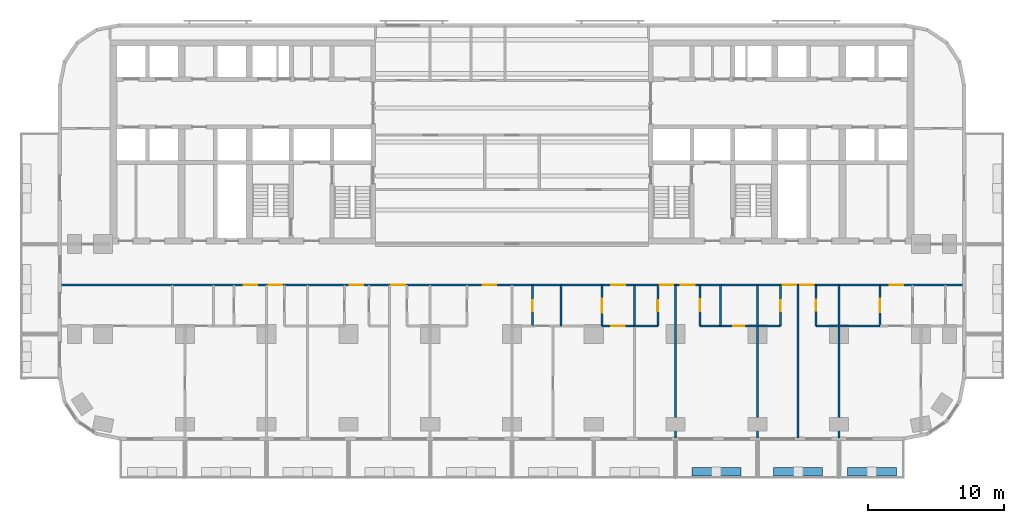
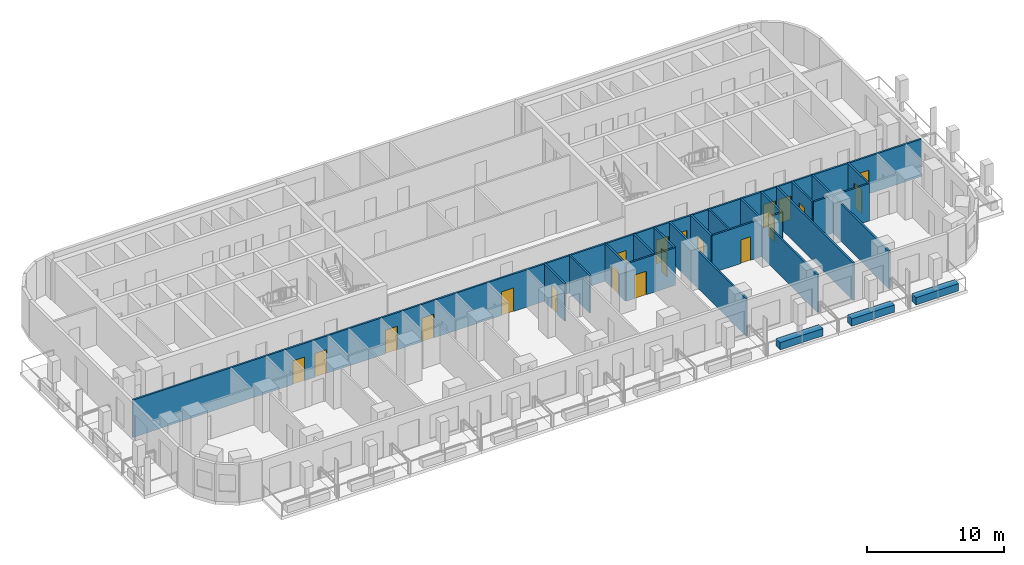
# One storey, part 6 of 14: 22 walls, 20 doors, 20 openings.
"""IFC4 building model written with IfcOpenShell, lengths in metres."""

from ifc_helpers import new_model, si_unit, direction, frame, frame_2d, origin, place, context, subcontext, project, spatial, rectangle, extrude, material, layer, layer_set, type_object, element, fill, save


model = new_model("IFC4")

# Units and contexts
model_context = context("Model", 3, precision=1e-05, world=origin(), true_north=direction((0.0, 1.0)))
body_context = subcontext(model_context, "Body", "Model", "MODEL_VIEW")
ifc_project = project(units=[si_unit("LENGTHUNIT", "METRE"), si_unit("AREAUNIT", "SQUARE_METRE"), si_unit("VOLUMEUNIT", "CUBIC_METRE"), si_unit("PLANEANGLEUNIT", "RADIAN"), si_unit("MASSUNIT", "GRAM", prefix="KILO")], contexts=[model_context])

# Site, building, storey
site_placement = place(None, origin())
site = spatial("IfcSite", under=ifc_project, at=site_placement, CompositionType="ELEMENT")
building_placement = place(site_placement, origin())
building = spatial("IfcBuilding", under=site, at=building_placement, Name="Torana Hotel and Residences", CompositionType="ELEMENT")
storey_placement = place(building_placement, frame((0.0, 0.0, 74.39990234375)))
storey = spatial("IfcBuildingStorey", under=building, at=storey_placement, Name="L18", CompositionType="ELEMENT", Elevation=74.39990234375)

# Wall, opening, door
ifc_material_1 = material(Name="Gypsum plaster")
ifc_layer_1 = layer(ifc_material_1, 0.014892578125, Name="Plaster", Category="finish")
ifc_material_2 = material(Name="Concrete blockwork", Category="masonry")
ifc_layer_2 = layer(ifc_material_2, 0.1201171875, Name="Blockwork", Category="structure")
ifc_layer_3 = layer(ifc_material_1, 0.014892578125, Name="Plaster", Category="finish")
ifc_layer_set_1 = layer_set([ifc_layer_1, ifc_layer_2, ifc_layer_3], Name="FIRE PARTITION 150 BLOCKWORK")
wall_type_1 = type_object("IfcWallType", Name="FIRE PARTITION 150 BLOCKWORK", PredefinedType="PARTITIONING", material=ifc_layer_set_1)
wall_1_placement = place(storey_placement, frame((27.0, -21.0, 0.0), z_axis=(0.0, 0.0, 1.0), x_axis=(0.0, 1.0, 0.0)))
wall_1 = element("IfcWall", 1, at=wall_1_placement, inside=storey, type_object=wall_type_1, Name="Partition L18", PredefinedType="PARTITIONING", context=body_context, shape_type="SweptSolid", body=[
    extrude(rectangle(XDim=3.0, YDim=0.14990234375, at=frame_2d((1.5, 0.0))), origin(), (0.0, 0.0, 1.0), 3.320068359375),
])
opening_1_placement = place(wall_1_placement, frame((1.0, 0.0, 0.0)))
opening_1 = element("IfcOpeningElement", 2, at=opening_1_placement, cuts=wall_1, Name="Opening L18-79", PredefinedType="OPENING", context=body_context, shape_type="SweptSolid", body=[
    extrude(rectangle(XDim=1.0, YDim=2.10009765625, at=frame_2d((0.5, 1.050048828125))), frame((0.0, 0.0849609375, 0.0), z_axis=(0.0, -1.0, 0.0), x_axis=(1.0, 0.0, 0.0)), (0.0, 0.0, 1.0), 0.169921875),
])
ifc_material_3 = material(Name="Steel S235", Category="steel")
door_type_1 = type_object("IfcDoorType", Name="ENTRY FIRE DOOR D6 1000x2100", OperationType="SINGLE_SWING_LEFT", PredefinedType="DOOR", material=ifc_material_3)
door_1_placement = place(opening_1_placement, origin())
door_1 = element("IfcDoor", 3, at=door_1_placement, inside=storey, type_object=door_type_1, Name="Door L18", OperationType="SINGLE_SWING_RIGHT", OverallHeight=2.10009765625, OverallWidth=1.0, PredefinedType="DOOR", context=body_context, shape_type="SweptSolid", body=[
    extrude(rectangle(XDim=1.0, YDim=2.10009765625, at=frame_2d((0.5, 1.050048828125))), frame((0.0, 0.02490234375, 0.0), z_axis=(0.0, -1.0, 0.0), x_axis=(1.0, 0.0, 0.0)), (0.0, 0.0, 1.0), 0.050048828125),
])
fill(opening_1, door_1)

# Wall
wall_2_placement = place(storey_placement, frame((9.0, -21.0, 0.0), z_axis=(0.0, 0.0, 1.0), x_axis=(0.0, 1.0, 0.0)))
element("IfcWall", 4, at=wall_2_placement, inside=storey, type_object=wall_type_1, Name="Partition L18", PredefinedType="PARTITIONING", context=body_context, shape_type="SweptSolid", body=[
    extrude(rectangle(XDim=3.0, YDim=0.14990234375, at=frame_2d((1.5, 0.0))), origin(), (0.0, 0.0, 1.0), 3.320068359375),
])

# Wall, opening, door
wall_3_placement = place(storey_placement, frame((6.60009765625, -21.0, 0.0), z_axis=(0.0, 0.0, 1.0), x_axis=(0.0, 1.0, 0.0)))
wall_3 = element("IfcWall", 5, at=wall_3_placement, inside=storey, type_object=wall_type_1, Name="Partition L18", PredefinedType="PARTITIONING", context=body_context, shape_type="SweptSolid", body=[
    extrude(rectangle(XDim=3.0, YDim=0.14990234375, at=frame_2d((1.5, 0.0))), origin(), (0.0, 0.0, 1.0), 3.320068359375),
])
opening_2_placement = place(wall_3_placement, frame((0.97998046875, 0.0, 0.0)))
opening_2 = element("IfcOpeningElement", 6, at=opening_2_placement, cuts=wall_3, Name="Opening L18-66", PredefinedType="OPENING", context=body_context, shape_type="SweptSolid", body=[
    extrude(rectangle(XDim=1.0, YDim=2.10009765625, at=frame_2d((0.5, 1.050048828125))), frame((0.0, 0.0849609375, 0.0), z_axis=(0.0, -1.0, 0.0), x_axis=(1.0, 0.0, 0.0)), (0.0, 0.0, 1.0), 0.169921875),
])
door_2_placement = place(opening_2_placement, origin())
door_2 = element("IfcDoor", 7, at=door_2_placement, inside=storey, type_object=door_type_1, Name="Door L18", OperationType="SINGLE_SWING_RIGHT", OverallHeight=2.10009765625, OverallWidth=1.0, PredefinedType="DOOR", context=body_context, shape_type="SweptSolid", body=[
    extrude(rectangle(XDim=1.0, YDim=2.10009765625, at=frame_2d((0.5, 1.050048828125))), frame((0.0, 0.02490234375, 0.0), z_axis=(0.0, -1.0, 0.0), x_axis=(1.0, 0.0, 0.0)), (0.0, 0.0, 1.0), 0.050048828125),
])
fill(opening_2, door_2)

wall_4_placement = place(storey_placement, frame((6.60009765625, -21.0, 0.0), z_axis=(0.0, 0.0, 1.0), x_axis=(1.0, 0.0, 0.0)))
wall_4 = element("IfcWall", 8, at=wall_4_placement, inside=storey, type_object=wall_type_1, Name="Partition L18", PredefinedType="PARTITIONING", context=body_context, shape_type="SweptSolid", body=[
    extrude(rectangle(XDim=2.39990234375, YDim=0.14990234375, at=frame_2d((1.199951171875, 0.0))), origin(), (0.0, 0.0, 1.0), 3.320068359375),
])
opening_3_placement = place(wall_4_placement, frame((0.679931640625, 0.0, 0.0)))
opening_3 = element("IfcOpeningElement", 9, at=opening_3_placement, cuts=wall_4, Name="Opening L18-67", PredefinedType="OPENING", context=body_context, shape_type="SweptSolid", body=[
    extrude(rectangle(XDim=1.0, YDim=2.10009765625, at=frame_2d((0.5, 1.050048828125))), frame((0.0, 0.0849609375, 0.0), z_axis=(0.0, -1.0, 0.0), x_axis=(1.0, 0.0, 0.0)), (0.0, 0.0, 1.0), 0.169921875),
])
door_3_placement = place(opening_3_placement, frame((0.5, 0.0, 0.0), z_axis=(0.0, 0.0, 1.0), x_axis=(-1.0, 0.0, 0.0)))
door_3 = element("IfcDoor", 10, at=door_3_placement, inside=storey, type_object=door_type_1, Name="Door L18", OperationType="SINGLE_SWING_LEFT", OverallHeight=2.10009765625, OverallWidth=1.0, PredefinedType="DOOR", context=body_context, shape_type="SweptSolid", body=[
    extrude(rectangle(XDim=1.0, YDim=2.10009765625, at=frame_2d((0.0, 1.050048828125))), frame((0.0, -0.02490234375, 0.0), z_axis=(0.0, 1.0, 0.0), x_axis=(-1.0, 0.0, 0.0)), (0.0, 0.0, 1.0), 0.050048828125),
])
fill(opening_3, door_3)

# Wall, openings, doors
wall_5_placement = place(storey_placement, frame((-33.1201171875, -18.0, 0.0), z_axis=(0.0, 0.0, 1.0), x_axis=(1.0, 0.0, 0.0)))
wall_5 = element("IfcWall", 11, at=wall_5_placement, inside=storey, type_object=wall_type_1, Name="Partition L18", PredefinedType="PARTITIONING", context=body_context, shape_type="SweptSolid", body=[
    extrude(rectangle(XDim=66.240234375, YDim=0.14990234375, at=frame_2d((33.1201171875, 0.0))), origin(), (0.0, 0.0, 1.0), 3.320068359375),
])
opening_4_placement = place(wall_5_placement, frame((15.27001953125, 0.0, 0.0)))
opening_4 = element("IfcOpeningElement", 12, at=opening_4_placement, cuts=wall_5, Name="Opening L18-38", PredefinedType="OPENING", context=body_context, shape_type="SweptSolid", body=[
    extrude(rectangle(XDim=1.0, YDim=2.10009765625, at=frame_2d((0.5, 1.050048828125))), frame((0.0, 0.0849609375, 0.0), z_axis=(0.0, -1.0, 0.0), x_axis=(1.0, 0.0, 0.0)), (0.0, 0.0, 1.0), 0.169921875),
])
opening_5_placement = place(wall_5_placement, frame((21.219970703125, 0.0, 0.0)))
opening_5 = element("IfcOpeningElement", 13, at=opening_5_placement, cuts=wall_5, Name="Opening L18-39", PredefinedType="OPENING", context=body_context, shape_type="SweptSolid", body=[
    extrude(rectangle(XDim=1.0, YDim=2.10009765625, at=frame_2d((0.5, 1.050048828125))), frame((0.0, 0.0849609375, 0.0), z_axis=(0.0, -1.0, 0.0), x_axis=(1.0, 0.0, 0.0)), (0.0, 0.0, 1.0), 0.169921875),
])
opening_6_placement = place(wall_5_placement, frame((24.27001953125, 0.0, 0.0)))
opening_6 = element("IfcOpeningElement", 14, at=opening_6_placement, cuts=wall_5, Name="Opening L18-40", PredefinedType="OPENING", context=body_context, shape_type="SweptSolid", body=[
    extrude(rectangle(XDim=1.0, YDim=2.10009765625, at=frame_2d((0.5, 1.050048828125))), frame((0.0, 0.0849609375, 0.0), z_axis=(0.0, -1.0, 0.0), x_axis=(1.0, 0.0, 0.0)), (0.0, 0.0, 1.0), 0.169921875),
])
opening_7_placement = place(wall_5_placement, frame((30.969970703125, 0.0, 0.0)))
opening_7 = element("IfcOpeningElement", 15, at=opening_7_placement, cuts=wall_5, Name="Opening L18-41", PredefinedType="OPENING", context=body_context, shape_type="SweptSolid", body=[
    extrude(rectangle(XDim=1.0, YDim=2.10009765625, at=frame_2d((0.5, 1.050048828125))), frame((0.0, 0.0849609375, 0.0), z_axis=(0.0, -1.0, 0.0), x_axis=(1.0, 0.0, 0.0)), (0.0, 0.0, 1.0), 0.169921875),
])
opening_8_placement = place(wall_5_placement, frame((40.419921875, 0.0, 0.0)))
opening_8 = element("IfcOpeningElement", 16, at=opening_8_placement, cuts=wall_5, Name="Opening L18-42", PredefinedType="OPENING", context=body_context, shape_type="SweptSolid", body=[
    extrude(rectangle(XDim=1.0, YDim=2.10009765625, at=frame_2d((0.5, 1.050048828125))), frame((0.0, 0.0849609375, 0.0), z_axis=(0.0, -1.0, 0.0), x_axis=(1.0, 0.0, 0.0)), (0.0, 0.0, 1.0), 0.169921875),
])
opening_9_placement = place(wall_5_placement, frame((43.969970703125, 0.0, 0.0)))
opening_9 = element("IfcOpeningElement", 17, at=opening_9_placement, cuts=wall_5, Name="Opening L18-43", PredefinedType="OPENING", context=body_context, shape_type="SweptSolid", body=[
    extrude(rectangle(XDim=1.0, YDim=2.10009765625, at=frame_2d((0.5, 1.050048828125))), frame((0.0, 0.0849609375, 0.0), z_axis=(0.0, -1.0, 0.0), x_axis=(1.0, 0.0, 0.0)), (0.0, 0.0, 1.0), 0.169921875),
])
opening_10_placement = place(wall_5_placement, frame((45.52001953125, 0.0, 0.0)))
opening_10 = element("IfcOpeningElement", 18, at=opening_10_placement, cuts=wall_5, Name="Opening L18-44", PredefinedType="OPENING", context=body_context, shape_type="SweptSolid", body=[
    extrude(rectangle(XDim=1.0, YDim=2.10009765625, at=frame_2d((0.5, 1.050048828125))), frame((0.0, 0.0849609375, 0.0), z_axis=(0.0, -1.0, 0.0), x_axis=(1.0, 0.0, 0.0)), (0.0, 0.0, 1.0), 0.169921875),
])
opening_11_placement = place(wall_5_placement, frame((52.969970703125, 0.0, 0.0)))
opening_11 = element("IfcOpeningElement", 19, at=opening_11_placement, cuts=wall_5, Name="Opening L18-45", PredefinedType="OPENING", context=body_context, shape_type="SweptSolid", body=[
    extrude(rectangle(XDim=1.0, YDim=2.10009765625, at=frame_2d((0.5, 1.050048828125))), frame((0.0, 0.0849609375, 0.0), z_axis=(0.0, -1.0, 0.0), x_axis=(1.0, 0.0, 0.0)), (0.0, 0.0, 1.0), 0.169921875),
])
opening_12_placement = place(wall_5_placement, frame((54.27001953125, 0.0, 0.0)))
opening_12 = element("IfcOpeningElement", 20, at=opening_12_placement, cuts=wall_5, Name="Opening L18-46", PredefinedType="OPENING", context=body_context, shape_type="SweptSolid", body=[
    extrude(rectangle(XDim=1.0, YDim=2.10009765625, at=frame_2d((0.5, 1.050048828125))), frame((0.0, 0.0849609375, 0.0), z_axis=(0.0, -1.0, 0.0), x_axis=(1.0, 0.0, 0.0)), (0.0, 0.0, 1.0), 0.169921875),
])
opening_13_placement = place(wall_5_placement, frame((13.419921875, 0.0, 0.0)))
opening_13 = element("IfcOpeningElement", 21, at=opening_13_placement, cuts=wall_5, Name="Opening L18-47", PredefinedType="OPENING", context=body_context, shape_type="SweptSolid", body=[
    extrude(rectangle(XDim=1.0, YDim=2.10009765625, at=frame_2d((0.5, 1.050048828125))), frame((0.0, 0.0849609375, 0.0), z_axis=(0.0, -1.0, 0.0), x_axis=(1.0, 0.0, 0.0)), (0.0, 0.0, 1.0), 0.169921875),
])
opening_14_placement = place(wall_5_placement, frame((60.820068359375, 0.0, 0.0)))
opening_14 = element("IfcOpeningElement", 22, at=opening_14_placement, cuts=wall_5, Name="Opening L18-48", PredefinedType="OPENING", context=body_context, shape_type="SweptSolid", body=[
    extrude(rectangle(XDim=1.0, YDim=2.10009765625, at=frame_2d((0.5, 1.050048828125))), frame((0.0, 0.0849609375, 0.0), z_axis=(0.0, -1.0, 0.0), x_axis=(1.0, 0.0, 0.0)), (0.0, 0.0, 1.0), 0.169921875),
])
door_4_placement = place(opening_4_placement, frame((0.5, 0.0, 0.0), z_axis=(0.0, 0.0, 1.0), x_axis=(-1.0, 0.0, 0.0)))
door_4 = element("IfcDoor", 23, at=door_4_placement, inside=storey, type_object=door_type_1, Name="Door L18", OperationType="SINGLE_SWING_LEFT", OverallHeight=2.10009765625, OverallWidth=1.0, PredefinedType="DOOR", context=body_context, shape_type="SweptSolid", body=[
    extrude(rectangle(XDim=1.0, YDim=2.10009765625, at=frame_2d((0.0, 1.050048828125))), frame((0.0, -0.02490234375, 0.0), z_axis=(0.0, 1.0, 0.0), x_axis=(-1.0, 0.0, 0.0)), (0.0, 0.0, 1.0), 0.050048828125),
])
fill(opening_4, door_4)
door_5_placement = place(opening_5_placement, frame((0.5, 0.0, 0.0), z_axis=(0.0, 0.0, 1.0), x_axis=(-1.0, 0.0, 0.0)))
door_5 = element("IfcDoor", 24, at=door_5_placement, inside=storey, type_object=door_type_1, Name="Door L18", OperationType="SINGLE_SWING_LEFT", OverallHeight=2.10009765625, OverallWidth=1.0, PredefinedType="DOOR", context=body_context, shape_type="SweptSolid", body=[
    extrude(rectangle(XDim=1.0, YDim=2.10009765625, at=frame_2d((0.0, 1.050048828125))), frame((0.0, -0.02490234375, 0.0), z_axis=(0.0, 1.0, 0.0), x_axis=(-1.0, 0.0, 0.0)), (0.0, 0.0, 1.0), 0.050048828125),
])
fill(opening_5, door_5)
door_6_placement = place(opening_6_placement, frame((0.5, 0.0, 0.0), z_axis=(0.0, 0.0, 1.0), x_axis=(-1.0, 0.0, 0.0)))
door_6 = element("IfcDoor", 25, at=door_6_placement, inside=storey, type_object=door_type_1, Name="Door L18", OperationType="SINGLE_SWING_LEFT", OverallHeight=2.10009765625, OverallWidth=1.0, PredefinedType="DOOR", context=body_context, shape_type="SweptSolid", body=[
    extrude(rectangle(XDim=1.0, YDim=2.10009765625, at=frame_2d((0.0, 1.050048828125))), frame((0.0, -0.02490234375, 0.0), z_axis=(0.0, 1.0, 0.0), x_axis=(-1.0, 0.0, 0.0)), (0.0, 0.0, 1.0), 0.050048828125),
])
fill(opening_6, door_6)
door_7_placement = place(opening_7_placement, frame((0.5, 0.0, 0.0), z_axis=(0.0, 0.0, 1.0), x_axis=(-1.0, 0.0, 0.0)))
door_7 = element("IfcDoor", 26, at=door_7_placement, inside=storey, type_object=door_type_1, Name="Door L18", OperationType="SINGLE_SWING_LEFT", OverallHeight=2.10009765625, OverallWidth=1.0, PredefinedType="DOOR", context=body_context, shape_type="SweptSolid", body=[
    extrude(rectangle(XDim=1.0, YDim=2.10009765625, at=frame_2d((0.0, 1.050048828125))), frame((0.0, -0.02490234375, 0.0), z_axis=(0.0, 1.0, 0.0), x_axis=(-1.0, 0.0, 0.0)), (0.0, 0.0, 1.0), 0.050048828125),
])
fill(opening_7, door_7)
door_8_placement = place(opening_8_placement, origin())
door_8 = element("IfcDoor", 27, at=door_8_placement, inside=storey, type_object=door_type_1, Name="Door L18", OperationType="SINGLE_SWING_RIGHT", OverallHeight=2.10009765625, OverallWidth=1.0, PredefinedType="DOOR", context=body_context, shape_type="SweptSolid", body=[
    extrude(rectangle(XDim=1.0, YDim=2.10009765625, at=frame_2d((0.5, 1.050048828125))), frame((0.0, 0.02490234375, 0.0), z_axis=(0.0, -1.0, 0.0), x_axis=(1.0, 0.0, 0.0)), (0.0, 0.0, 1.0), 0.050048828125),
])
fill(opening_8, door_8)
door_9_placement = place(opening_9_placement, frame((0.5, 0.0, 0.0), z_axis=(0.0, 0.0, 1.0), x_axis=(-1.0, 0.0, 0.0)))
door_9 = element("IfcDoor", 28, at=door_9_placement, inside=storey, type_object=door_type_1, Name="Door L18", OperationType="SINGLE_SWING_LEFT", OverallHeight=2.10009765625, OverallWidth=1.0, PredefinedType="DOOR", context=body_context, shape_type="SweptSolid", body=[
    extrude(rectangle(XDim=1.0, YDim=2.10009765625, at=frame_2d((0.0, 1.050048828125))), frame((0.0, -0.02490234375, 0.0), z_axis=(0.0, 1.0, 0.0), x_axis=(-1.0, 0.0, 0.0)), (0.0, 0.0, 1.0), 0.050048828125),
])
fill(opening_9, door_9)
door_10_placement = place(opening_10_placement, frame((0.5, 0.0, 0.0), z_axis=(0.0, 0.0, 1.0), x_axis=(-1.0, 0.0, 0.0)))
door_10 = element("IfcDoor", 29, at=door_10_placement, inside=storey, type_object=door_type_1, Name="Door L18", OperationType="SINGLE_SWING_LEFT", OverallHeight=2.10009765625, OverallWidth=1.0, PredefinedType="DOOR", context=body_context, shape_type="SweptSolid", body=[
    extrude(rectangle(XDim=1.0, YDim=2.10009765625, at=frame_2d((0.0, 1.050048828125))), frame((0.0, -0.02490234375, 0.0), z_axis=(0.0, 1.0, 0.0), x_axis=(-1.0, 0.0, 0.0)), (0.0, 0.0, 1.0), 0.050048828125),
])
fill(opening_10, door_10)
door_11_placement = place(opening_11_placement, frame((0.5, 0.0, 0.0), z_axis=(0.0, 0.0, 1.0), x_axis=(-1.0, 0.0, 0.0)))
door_11 = element("IfcDoor", 30, at=door_11_placement, inside=storey, type_object=door_type_1, Name="Door L18", OperationType="SINGLE_SWING_LEFT", OverallHeight=2.10009765625, OverallWidth=1.0, PredefinedType="DOOR", context=body_context, shape_type="SweptSolid", body=[
    extrude(rectangle(XDim=1.0, YDim=2.10009765625, at=frame_2d((0.0, 1.050048828125))), frame((0.0, -0.02490234375, 0.0), z_axis=(0.0, 1.0, 0.0), x_axis=(-1.0, 0.0, 0.0)), (0.0, 0.0, 1.0), 0.050048828125),
])
fill(opening_11, door_11)
door_12_placement = place(opening_12_placement, frame((0.5, 0.0, 0.0), z_axis=(0.0, 0.0, 1.0), x_axis=(-1.0, 0.0, 0.0)))
door_12 = element("IfcDoor", 31, at=door_12_placement, inside=storey, type_object=door_type_1, Name="Door L18", OperationType="SINGLE_SWING_LEFT", OverallHeight=2.10009765625, OverallWidth=1.0, PredefinedType="DOOR", context=body_context, shape_type="SweptSolid", body=[
    extrude(rectangle(XDim=1.0, YDim=2.10009765625, at=frame_2d((0.0, 1.050048828125))), frame((0.0, -0.02490234375, 0.0), z_axis=(0.0, 1.0, 0.0), x_axis=(-1.0, 0.0, 0.0)), (0.0, 0.0, 1.0), 0.050048828125),
])
fill(opening_12, door_12)
door_13_placement = place(opening_13_placement, origin())
door_13 = element("IfcDoor", 32, at=door_13_placement, inside=storey, type_object=door_type_1, Name="Door L18", OperationType="SINGLE_SWING_RIGHT", OverallHeight=2.10009765625, OverallWidth=1.0, PredefinedType="DOOR", context=body_context, shape_type="SweptSolid", body=[
    extrude(rectangle(XDim=1.0, YDim=2.10009765625, at=frame_2d((0.5, 1.050048828125))), frame((0.0, 0.02490234375, 0.0), z_axis=(0.0, -1.0, 0.0), x_axis=(1.0, 0.0, 0.0)), (0.0, 0.0, 1.0), 0.050048828125),
])
fill(opening_13, door_13)
door_14_placement = place(opening_14_placement, origin())
door_14 = element("IfcDoor", 33, at=door_14_placement, inside=storey, type_object=door_type_1, Name="Door L18", OperationType="SINGLE_SWING_RIGHT", OverallHeight=2.10009765625, OverallWidth=1.0, PredefinedType="DOOR", context=body_context, shape_type="SweptSolid", body=[
    extrude(rectangle(XDim=1.0, YDim=2.10009765625, at=frame_2d((0.5, 1.050048828125))), frame((0.0, 0.02490234375, 0.0), z_axis=(0.0, -1.0, 0.0), x_axis=(1.0, 0.0, 0.0)), (0.0, 0.0, 1.0), 0.050048828125),
])
fill(opening_14, door_14)

# Wall
ifc_material_4 = material(Name="Gypsum plasterboard")
ifc_layer_4 = layer(ifc_material_4, 0.012451171875, Name="Plasterboard", Category="finish")
ifc_layer_5 = layer(ifc_material_4, 0.012451171875, Name="Plasterboard", Category="finish")
ifc_material_5 = material(Name="Steel S280GD", Category="steel")
ifc_layer_6 = layer(ifc_material_5, 0.10009765625, Name="Steel studs with mineral wool", Category="insulation")
ifc_layer_7 = layer(ifc_material_4, 0.012451171875, Name="Plasterboard", Category="finish")
ifc_layer_8 = layer(ifc_material_4, 0.012451171875, Name="Plasterboard", Category="finish")
ifc_layer_set_2 = layer_set([ifc_layer_4, ifc_layer_5, ifc_layer_6, ifc_layer_7, ifc_layer_8], Name="PARTITION 150 PLASTERBOARD")
wall_type_2 = type_object("IfcWallType", Name="PARTITION 150 PLASTERBOARD", PredefinedType="PARTITIONING", material=ifc_layer_set_2)
wall_6_placement = place(storey_placement, frame((24.0, -29.219970703125, 0.0), z_axis=(0.0, 0.0, 1.0), x_axis=(0.0, 1.0, 0.0)))
element("IfcWall", 34, at=wall_6_placement, inside=storey, type_object=wall_type_2, Name="Partition L18", PredefinedType="PARTITIONING", context=body_context, shape_type="SweptSolid", body=[
    extrude(rectangle(XDim=11.219970703125, YDim=0.14990234375, at=frame_2d((5.60986328125, 0.0))), origin(), (0.0, 0.0, 1.0), 3.320068359375),
])

# Wall, opening, door
wall_7_placement = place(storey_placement, frame((22.300048828125, -21.0, 0.0), z_axis=(0.0, 0.0, 1.0), x_axis=(0.0, 1.0, 0.0)))
wall_7 = element("IfcWall", 35, at=wall_7_placement, inside=storey, type_object=wall_type_2, Name="Partition L18", PredefinedType="PARTITIONING", context=body_context, shape_type="SweptSolid", body=[
    extrude(rectangle(XDim=3.0, YDim=0.14990234375, at=frame_2d((1.5, 0.0))), origin(), (0.0, 0.0, 1.0), 3.320068359375),
])
opening_15_placement = place(wall_7_placement, frame((1.1201171875, 0.0, 0.0)))
opening_15 = element("IfcOpeningElement", 36, at=opening_15_placement, cuts=wall_7, Name="Opening L18-73", PredefinedType="OPENING", context=body_context, shape_type="SweptSolid", body=[
    extrude(rectangle(XDim=0.800048828125, YDim=2.10009765625, at=frame_2d((0.39990234375, 1.050048828125))), frame((0.0, 0.0849609375, 0.0), z_axis=(0.0, -1.0, 0.0), x_axis=(1.0, 0.0, 0.0)), (0.0, 0.0, 1.0), 0.169921875),
])
ifc_material_6 = material(Name="Timber door, painted", Category="wood")
door_type_2 = type_object("IfcDoorType", Name="BATH DOOR D13 800x2100", OperationType="SINGLE_SWING_LEFT", PredefinedType="DOOR", material=ifc_material_6)
door_15_placement = place(opening_15_placement, origin())
door_15 = element("IfcDoor", 37, at=door_15_placement, inside=storey, type_object=door_type_2, Name="Door L18", OperationType="SINGLE_SWING_LEFT", OverallHeight=2.10009765625, OverallWidth=0.800048828125, PredefinedType="DOOR", context=body_context, shape_type="SweptSolid", body=[
    extrude(rectangle(XDim=0.800048828125, YDim=2.10009765625, at=frame_2d((0.39990234375, 1.050048828125))), frame((0.0, 0.02490234375, 0.0), z_axis=(0.0, -1.0, 0.0), x_axis=(1.0, 0.0, 0.0)), (0.0, 0.0, 1.0), 0.050048828125),
])
fill(opening_15, door_15)

# Wall
wall_8_placement = place(storey_placement, frame((21.0, -29.219970703125, 0.0), z_axis=(0.0, 0.0, 1.0), x_axis=(0.0, 1.0, 0.0)))
element("IfcWall", 38, at=wall_8_placement, inside=storey, type_object=wall_type_2, Name="Partition L18", PredefinedType="PARTITIONING", context=body_context, shape_type="SweptSolid", body=[
    extrude(rectangle(XDim=11.219970703125, YDim=0.14990234375, at=frame_2d((5.60986328125, 0.0))), origin(), (0.0, 0.0, 1.0), 3.320068359375),
])

# Wall, opening, door
wall_9_placement = place(storey_placement, frame((19.699951171875, -21.0, 0.0), z_axis=(0.0, 0.0, 1.0), x_axis=(0.0, 1.0, 0.0)))
wall_9 = element("IfcWall", 39, at=wall_9_placement, inside=storey, type_object=wall_type_2, Name="Partition L18", PredefinedType="PARTITIONING", context=body_context, shape_type="SweptSolid", body=[
    extrude(rectangle(XDim=3.0, YDim=0.14990234375, at=frame_2d((1.5, 0.0))), origin(), (0.0, 0.0, 1.0), 3.320068359375),
])
opening_16_placement = place(wall_9_placement, frame((1.080078125, 0.0, 0.0)))
opening_16 = element("IfcOpeningElement", 40, at=opening_16_placement, cuts=wall_9, Name="Opening L18-72", PredefinedType="OPENING", context=body_context, shape_type="SweptSolid", body=[
    extrude(rectangle(XDim=0.800048828125, YDim=2.10009765625, at=frame_2d((0.39990234375, 1.050048828125))), frame((0.0, 0.0849609375, 0.0), z_axis=(0.0, -1.0, 0.0), x_axis=(1.0, 0.0, 0.0)), (0.0, 0.0, 1.0), 0.169921875),
])
door_16_placement = place(opening_16_placement, origin())
door_16 = element("IfcDoor", 41, at=door_16_placement, inside=storey, type_object=door_type_2, Name="Door L18", OperationType="SINGLE_SWING_RIGHT", OverallHeight=2.10009765625, OverallWidth=0.800048828125, PredefinedType="DOOR", context=body_context, shape_type="SweptSolid", body=[
    extrude(rectangle(XDim=0.800048828125, YDim=2.10009765625, at=frame_2d((0.39990234375, 1.050048828125))), frame((0.0, 0.02490234375, 0.0), z_axis=(0.0, -1.0, 0.0), x_axis=(1.0, 0.0, 0.0)), (0.0, 0.0, 1.0), 0.050048828125),
])
fill(opening_16, door_16)

# Walls
wall_10_placement = place(storey_placement, frame((18.0, -29.219970703125, 0.0), z_axis=(0.0, 0.0, 1.0), x_axis=(0.0, 1.0, 0.0)))
element("IfcWall", 42, at=wall_10_placement, inside=storey, type_object=wall_type_2, Name="Partition L18", PredefinedType="PARTITIONING", context=body_context, shape_type="SweptSolid", body=[
    extrude(rectangle(XDim=11.219970703125, YDim=0.14990234375, at=frame_2d((5.60986328125, 0.0))), origin(), (0.0, 0.0, 1.0), 3.320068359375),
])
wall_11_placement = place(storey_placement, frame((15.300048828125, -21.0, 0.0), z_axis=(0.0, 0.0, 1.0), x_axis=(0.0, 1.0, 0.0)))
element("IfcWall", 43, at=wall_11_placement, inside=storey, type_object=wall_type_2, Name="Partition L18", PredefinedType="PARTITIONING", context=body_context, shape_type="SweptSolid", body=[
    extrude(rectangle(XDim=3.0, YDim=0.14990234375, at=frame_2d((1.5, 0.0))), origin(), (0.0, 0.0, 1.0), 3.320068359375),
])

# Wall, opening, door
wall_12_placement = place(storey_placement, frame((13.800048828125, -21.0, 0.0), z_axis=(0.0, 0.0, 1.0), x_axis=(0.0, 1.0, 0.0)))
wall_12 = element("IfcWall", 44, at=wall_12_placement, inside=storey, type_object=wall_type_2, Name="Partition L18", PredefinedType="PARTITIONING", context=body_context, shape_type="SweptSolid", body=[
    extrude(rectangle(XDim=3.0, YDim=0.14990234375, at=frame_2d((1.5, 0.0))), origin(), (0.0, 0.0, 1.0), 3.320068359375),
])
opening_17_placement = place(wall_12_placement, frame((1.070068359375, 0.0, 0.0)))
opening_17 = element("IfcOpeningElement", 45, at=opening_17_placement, cuts=wall_12, Name="Opening L18-70", PredefinedType="OPENING", context=body_context, shape_type="SweptSolid", body=[
    extrude(rectangle(XDim=0.89990234375, YDim=2.10009765625, at=frame_2d((0.449951171875, 1.050048828125))), frame((0.0, 0.0849609375, 0.0), z_axis=(0.0, -1.0, 0.0), x_axis=(1.0, 0.0, 0.0)), (0.0, 0.0, 1.0), 0.169921875),
])
ifc_material_7 = material(Name="Timber door, oiled ash", Category="wood")
door_type_3 = type_object("IfcDoorType", Name="ROOM DOOR D7 900x2100", OperationType="SINGLE_SWING_LEFT", PredefinedType="DOOR", material=ifc_material_7)
door_17_placement = place(opening_17_placement, origin())
door_17 = element("IfcDoor", 46, at=door_17_placement, inside=storey, type_object=door_type_3, Name="Door L18", OperationType="SINGLE_SWING_LEFT", OverallHeight=2.10009765625, OverallWidth=0.89990234375, PredefinedType="DOOR", context=body_context, shape_type="SweptSolid", body=[
    extrude(rectangle(XDim=0.89990234375, YDim=2.10009765625, at=frame_2d((0.449951171875, 1.050048828125))), frame((0.0, 0.02490234375, 0.0), z_axis=(0.0, -1.0, 0.0), x_axis=(1.0, 0.0, 0.0)), (0.0, 0.0, 1.0), 0.050048828125),
])
fill(opening_17, door_17)

# Wall
wall_13_placement = place(storey_placement, frame((12.0, -29.219970703125, 0.0), z_axis=(0.0, 0.0, 1.0), x_axis=(0.0, 1.0, 0.0)))
element("IfcWall", 47, at=wall_13_placement, inside=storey, type_object=wall_type_2, Name="Partition L18", PredefinedType="PARTITIONING", context=body_context, shape_type="SweptSolid", body=[
    extrude(rectangle(XDim=11.219970703125, YDim=0.14990234375, at=frame_2d((5.60986328125, 0.0))), origin(), (0.0, 0.0, 1.0), 3.320068359375),
])

# Wall, opening, door
wall_14_placement = place(storey_placement, frame((10.699951171875, -21.0, 0.0), z_axis=(0.0, 0.0, 1.0), x_axis=(0.0, 1.0, 0.0)))
wall_14 = element("IfcWall", 48, at=wall_14_placement, inside=storey, type_object=wall_type_2, Name="Partition L18", PredefinedType="PARTITIONING", context=body_context, shape_type="SweptSolid", body=[
    extrude(rectangle(XDim=3.0, YDim=0.14990234375, at=frame_2d((1.5, 0.0))), origin(), (0.0, 0.0, 1.0), 3.320068359375),
])
opening_18_placement = place(wall_14_placement, frame((1.080078125, 0.0, 0.0)))
opening_18 = element("IfcOpeningElement", 49, at=opening_18_placement, cuts=wall_14, Name="Opening L18-69", PredefinedType="OPENING", context=body_context, shape_type="SweptSolid", body=[
    extrude(rectangle(XDim=0.800048828125, YDim=2.10009765625, at=frame_2d((0.39990234375, 1.050048828125))), frame((0.0, 0.0849609375, 0.0), z_axis=(0.0, -1.0, 0.0), x_axis=(1.0, 0.0, 0.0)), (0.0, 0.0, 1.0), 0.169921875),
])
door_18_placement = place(opening_18_placement, origin())
door_18 = element("IfcDoor", 50, at=door_18_placement, inside=storey, type_object=door_type_2, Name="Door L18", OperationType="SINGLE_SWING_RIGHT", OverallHeight=2.10009765625, OverallWidth=0.800048828125, PredefinedType="DOOR", context=body_context, shape_type="SweptSolid", body=[
    extrude(rectangle(XDim=0.800048828125, YDim=2.10009765625, at=frame_2d((0.39990234375, 1.050048828125))), frame((0.0, 0.02490234375, 0.0), z_axis=(0.0, -1.0, 0.0), x_axis=(1.0, 0.0, 0.0)), (0.0, 0.0, 1.0), 0.050048828125),
])
fill(opening_18, door_18)

# Walls
wall_15_placement = place(storey_placement, frame((3.60009765625, -21.0, 0.0), z_axis=(0.0, 0.0, 1.0), x_axis=(0.0, 1.0, 0.0)))
element("IfcWall", 51, at=wall_15_placement, inside=storey, type_object=wall_type_2, Name="Partition L18", PredefinedType="PARTITIONING", context=body_context, shape_type="SweptSolid", body=[
    extrude(rectangle(XDim=3.0, YDim=0.14990234375, at=frame_2d((1.5, 0.0))), origin(), (0.0, 0.0, 1.0), 3.320068359375),
])
wall_16_placement = place(storey_placement, frame((9.0, -21.0, 0.0), z_axis=(0.0, 0.0, 1.0), x_axis=(1.0, 0.0, 0.0)))
element("IfcWall", 52, at=wall_16_placement, inside=storey, type_object=wall_type_2, Name="Partition L18", PredefinedType="PARTITIONING", context=body_context, shape_type="SweptSolid", body=[
    extrude(rectangle(XDim=1.699951171875, YDim=0.14990234375, at=frame_2d((0.85009765625, 0.0))), origin(), (0.0, 0.0, 1.0), 3.320068359375),
])

# Wall, opening, door
wall_17_placement = place(storey_placement, frame((13.800048828125, -21.0, 0.0), z_axis=(0.0, 0.0, 1.0), x_axis=(1.0, 0.0, 0.0)))
wall_17 = element("IfcWall", 53, at=wall_17_placement, inside=storey, type_object=wall_type_2, Name="Partition L18", PredefinedType="PARTITIONING", context=body_context, shape_type="SweptSolid", body=[
    extrude(rectangle(XDim=5.89990234375, YDim=0.14990234375, at=frame_2d((2.949951171875, 0.0))), origin(), (0.0, 0.0, 1.0), 3.320068359375),
])
opening_19_placement = place(wall_17_placement, frame((2.429931640625, 0.0, 0.0)))
opening_19 = element("IfcOpeningElement", 54, at=opening_19_placement, cuts=wall_17, Name="Opening L18-71", PredefinedType="OPENING", context=body_context, shape_type="SweptSolid", body=[
    extrude(rectangle(XDim=0.800048828125, YDim=2.10009765625, at=frame_2d((0.39990234375, 1.050048828125))), frame((0.0, 0.0849609375, 0.0), z_axis=(0.0, -1.0, 0.0), x_axis=(1.0, 0.0, 0.0)), (0.0, 0.0, 1.0), 0.169921875),
])
door_19_placement = place(opening_19_placement, origin())
door_19 = element("IfcDoor", 55, at=door_19_placement, inside=storey, type_object=door_type_2, Name="Door L18", OperationType="SINGLE_SWING_RIGHT", OverallHeight=2.10009765625, OverallWidth=0.800048828125, PredefinedType="DOOR", context=body_context, shape_type="SweptSolid", body=[
    extrude(rectangle(XDim=0.800048828125, YDim=2.10009765625, at=frame_2d((0.39990234375, 1.050048828125))), frame((0.0, 0.02490234375, 0.0), z_axis=(0.0, -1.0, 0.0), x_axis=(1.0, 0.0, 0.0)), (0.0, 0.0, 1.0), 0.050048828125),
])
fill(opening_19, door_19)

# Walls
wall_18_placement = place(storey_placement, frame((22.300048828125, -21.0, 0.0), z_axis=(0.0, 0.0, 1.0), x_axis=(1.0, 0.0, 0.0)))
element("IfcWall", 56, at=wall_18_placement, inside=storey, type_object=wall_type_2, Name="Partition L18", PredefinedType="PARTITIONING", context=body_context, shape_type="SweptSolid", body=[
    extrude(rectangle(XDim=4.699951171875, YDim=0.14990234375, at=frame_2d((2.35009765625, 0.0))), origin(), (0.0, 0.0, 1.0), 3.320068359375),
])
ifc_material_8 = material(Name="Concrete C40/50 precast", Category="concrete")
ifc_layer_9 = layer(ifc_material_8, 0.10009765625, Name="Planter shell", Category="structure")
ifc_material_9 = material(Name="Root resistant membrane")
ifc_layer_10 = layer(ifc_material_9, 0.00390625, Name="Waterproofing membrane", Category="membrane")
ifc_material_10 = material(Name="Drainage board with filter fleece")
ifc_layer_11 = layer(ifc_material_10, 0.02001953125, Name="Drainage board", Category="drainage")
ifc_material_11 = material(Name="Growing medium")
ifc_layer_12 = layer(ifc_material_11, 0.47607421875, Name="Planting substrate", Category="soil")
ifc_layer_set_3 = layer_set([ifc_layer_9, ifc_layer_10, ifc_layer_11, ifc_layer_12], Name="PL1 BALCONY PLANTER 600")
wall_type_3 = type_object("IfcWallType", Name="PL1 BALCONY PLANTER 600", PredefinedType="USERDEFINED", material=ifc_layer_set_3)
for number, where, z_axis, x_axis, name in (
    (57, (16.800048828125, -31.699951171875, 0.0), (0.0, 0.0, 1.0), (-1.0, 0.0, 0.0), "Planter 08"),
    (58, (22.800048828125, -31.699951171875, 0.0), (0.0, 0.0, 1.0), (-1.0, 0.0, 0.0), "Planter 09"),
):
    element("IfcWall", number, at=place(storey_placement, frame(where, z_axis=z_axis, x_axis=x_axis)), inside=storey, type_object=wall_type_3, Name=name, ObjectType="PLANTER", PredefinedType="USERDEFINED", context=body_context, shape_type="SweptSolid", body=[
        extrude(rectangle(XDim=3.60009765625, YDim=0.60009765625, at=frame_2d((1.800048828125, 0.0))), origin(), (0.0, 0.0, 1.0), 0.650146484375),
    ])
wall_19_placement = place(storey_placement, frame((28.199951171875, -31.699951171875, 0.0), z_axis=(0.0, 0.0, 1.0), x_axis=(-1.0, 0.0, 0.0)))
element("IfcWall", 59, at=wall_19_placement, inside=storey, type_object=wall_type_3, Name="Planter 10", ObjectType="PLANTER", PredefinedType="USERDEFINED", context=body_context, shape_type="SweptSolid", body=[
    extrude(rectangle(XDim=3.599853515625, YDim=0.60009765625, at=frame_2d((1.7998046875, 0.0))), origin(), (0.0, 0.0, 1.0), 0.650146484375),
])

# Wall, opening, door
ifc_material_12 = material(Name="Ceramic tile on adhesive")
ifc_layer_13 = layer(ifc_material_12, 0.010009765625, Name="Wall tile", Category="finish")
ifc_material_13 = material(Name="Cement render")
ifc_layer_14 = layer(ifc_material_13, 0.010009765625, Name="Render", Category="finish")
ifc_layer_15 = layer(ifc_material_2, 0.110107421875, Name="Blockwork", Category="structure")
ifc_layer_16 = layer(ifc_material_13, 0.010009765625, Name="Render", Category="finish")
ifc_layer_17 = layer(ifc_material_12, 0.010009765625, Name="Wall tile", Category="finish")
ifc_layer_set_4 = layer_set([ifc_layer_13, ifc_layer_14, ifc_layer_15, ifc_layer_16, ifc_layer_17], Name="WC PARTITION 150")
wall_type_4 = type_object("IfcWallType", Name="WC PARTITION 150", PredefinedType="PLUMBINGWALL", material=ifc_layer_set_4)
wall_20_placement = place(storey_placement, frame((1.5, -21.0, 0.0), z_axis=(0.0, 0.0, 1.0), x_axis=(0.0, 1.0, 0.0)))
wall_20 = element("IfcWall", 60, at=wall_20_placement, inside=storey, type_object=wall_type_4, Name="Partition L18", PredefinedType="PLUMBINGWALL", context=body_context, shape_type="SweptSolid", body=[
    extrude(rectangle(XDim=3.0, YDim=0.14990234375, at=frame_2d((1.5, 0.0))), origin(), (0.0, 0.0, 1.0), 3.320068359375),
])
opening_20_placement = place(wall_20_placement, frame((1.080078125, 0.0, 0.0)))
opening_20 = element("IfcOpeningElement", 61, at=opening_20_placement, cuts=wall_20, Name="Opening L18-64", PredefinedType="OPENING", context=body_context, shape_type="SweptSolid", body=[
    extrude(rectangle(XDim=0.800048828125, YDim=2.10009765625, at=frame_2d((0.39990234375, 1.050048828125))), frame((0.0, 0.0849609375, 0.0), z_axis=(0.0, -1.0, 0.0), x_axis=(1.0, 0.0, 0.0)), (0.0, 0.0, 1.0), 0.169921875),
])
door_20_placement = place(opening_20_placement, origin())
door_20 = element("IfcDoor", 62, at=door_20_placement, inside=storey, type_object=door_type_2, Name="Door L18", OperationType="SINGLE_SWING_RIGHT", OverallHeight=2.10009765625, OverallWidth=0.800048828125, PredefinedType="DOOR", context=body_context, shape_type="SweptSolid", body=[
    extrude(rectangle(XDim=0.800048828125, YDim=2.10009765625, at=frame_2d((0.39990234375, 1.050048828125))), frame((0.0, 0.02490234375, 0.0), z_axis=(0.0, -1.0, 0.0), x_axis=(1.0, 0.0, 0.0)), (0.0, 0.0, 1.0), 0.050048828125),
])
fill(opening_20, door_20)

save(model, "model.ifc")
